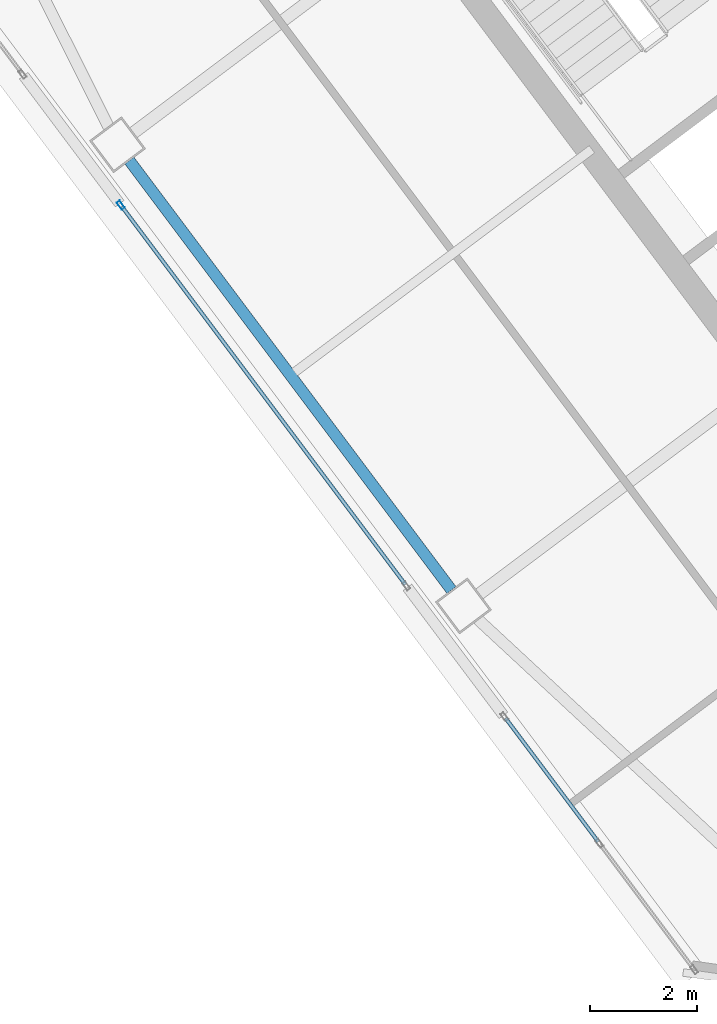
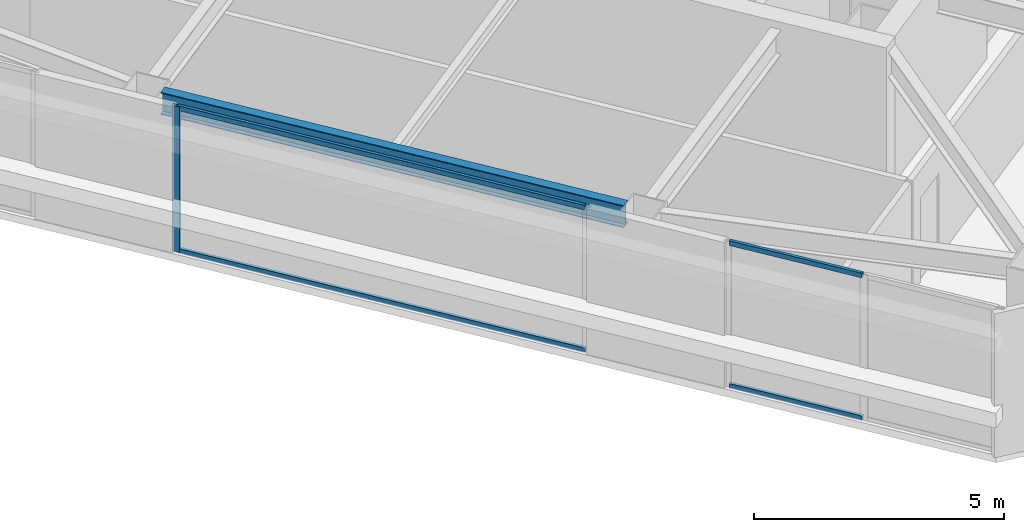
# One storey, part 15 of 39: 5 members, 1 beam, 2 elements without a shape of their own.
"""IFC4 building model written with IfcOpenShell, lengths in metres."""

from ifc_helpers import new_model, si_unit, direction, frame, origin, origin_2d, place, context, subcontext, project, spatial, hollow_rectangle, i_section, extrude, material, material_profile, profile_set, type_object, element, aggregate, save


model = new_model("IFC4")

# Units and contexts
model_context = context("Model", 3, precision=1e-05, world=origin(), true_north=direction((0.0, 1.0)))
body_context = subcontext(model_context, "Body", "Model", "MODEL_VIEW")
ifc_project = project(units=[si_unit("LENGTHUNIT", "METRE"), si_unit("AREAUNIT", "SQUARE_METRE"), si_unit("VOLUMEUNIT", "CUBIC_METRE"), si_unit("PLANEANGLEUNIT", "RADIAN"), si_unit("MASSUNIT", "GRAM", prefix="KILO")], contexts=[model_context])

# Site, building, storey
site_placement = place(None, origin())
site = spatial("IfcSite", under=ifc_project, at=site_placement, CompositionType="ELEMENT")
building_placement = place(site_placement, origin())
building = spatial("IfcBuilding", under=site, at=building_placement, Name="Tashvorn Skyway Center", CompositionType="ELEMENT")
storey_placement = place(building_placement, frame((0.0, 0.0, 214.85009765625)))
storey = spatial("IfcBuildingStorey", under=building, at=storey_placement, Name="L58", CompositionType="ELEMENT", Elevation=214.85009765625)

# Beam
ifc_material_1 = material(Name="Steel ASTM A992 Grade 50", Category="steel")
ifc_material_profile_1 = material_profile(ifc_material_1, i_section(OverallWidth=0.2109375, OverallDepth=0.5390625, WebThickness=0.01171875, FlangeThickness=0.018798828125, at=origin_2d()), Name="W21X73")
ifc_profile_set_1 = profile_set([ifc_material_profile_1], Name="Steel ASTM A992 Grade 50")
beam_type = type_object("IfcBeamType", Name="BM-SPANDREL-W21X73", PredefinedType="SPANDREL", material=ifc_profile_set_1)
beam_placement = place(storey_placement, frame((99.10205078125, 27.114013671875, 3.100341796875), z_axis=(0.599988351091, -0.800008736549, 0.0), x_axis=(0.800008736549, 0.599988351091, 0.0)))
element("IfcBeam", 1, at=beam_placement, inside=storey, type_object=beam_type, Name="Tower 2 L58 Spandrel Beam 11", PredefinedType="SPANDREL", context=body_context, shape_type="SweptSolid", body=[
    extrude(i_section(OverallWidth=0.2109375, OverallDepth=0.5390625, WebThickness=0.01171875, FlangeThickness=0.018798828125, at=origin_2d()), origin(), (0.0, 0.0, 1.0), 10.06005859375),
])

# Curtain wall, member
ifc_material_2 = material(Name="Thermally broken bronze-anodized aluminium 6063-T6", Category="aluminium")
curtain_wall_type = type_object("IfcCurtainWallType", Name="CW-CW-Z5", PredefinedType="NOTDEFINED", material=ifc_material_2)
curtain_wall_1_placement = place(storey_placement, origin())
curtain_wall_1 = element("IfcCurtainWall", 2, at=curtain_wall_1_placement, inside=storey, type_object=curtain_wall_type, Name="Tower 2 L58 West Unitised Curtain Wall Glazing Group 2", PredefinedType="NOTDEFINED")
ifc_material_profile_2 = material_profile(ifc_material_2, hollow_rectangle(XDim=0.070068359375, YDim=0.1650390625, WallThickness=0.00390625, at=origin_2d()), Name="ALU-MULL-70x165")
ifc_profile_set_2 = profile_set([ifc_material_profile_2], Name="Thermally broken bronze-anodized aluminium 6063-T6")
member_type_1 = type_object("IfcMemberType", Name="CWM-CW-Z5", PredefinedType="MULLION", material=ifc_profile_set_2)
member_1_placement = place(storey_placement, frame((98.94091796875, 26.27880859375, 0.0), z_axis=(0.0, 0.0, 1.0), x_axis=(-0.800002670596, -0.599996439189, 0.0)))
member_1 = element("IfcMember", 3, at=member_1_placement, type_object=member_type_1, Name="CW-Z5 mullion 2", PredefinedType="MULLION", context=body_context, shape_type="SweptSolid", body=[
    extrude(hollow_rectangle(XDim=0.070068359375, YDim=0.1650390625, WallThickness=0.00390625, at=origin_2d()), origin(), (0.0, 0.0, 1.0), 3.5498046875),
])

# Curtain wall, members
curtain_wall_2_placement = place(storey_placement, origin())
curtain_wall_2 = element("IfcCurtainWall", 4, at=curtain_wall_2_placement, inside=storey, type_object=curtain_wall_type, Name="Tower 2 L58 West Unitised Curtain Wall Glazing Group 1", PredefinedType="NOTDEFINED")
ifc_material_profile_3 = material_profile(ifc_material_2, hollow_rectangle(XDim=0.070068359375, YDim=0.114990234375, WallThickness=0.00390625, at=origin_2d()), Name="ALU-TRAN-70x115")
ifc_profile_set_3 = profile_set([ifc_material_profile_3], Name="Thermally broken bronze-anodized aluminium 6063-T6")
member_type_2 = type_object("IfcMemberType", Name="CWT-CW-Z5", PredefinedType="USERDEFINED", material=ifc_profile_set_3)
member_2_placement = place(storey_placement, frame((107.8857421875, 14.3525390625, 0.034912109375), z_axis=(-0.600040542509, 0.799969591513, 0.0), x_axis=(-0.799969591513, -0.600040542509, 0.0)))
member_2 = element("IfcMember", 5, at=member_2_placement, type_object=member_type_2, Name="CW-Z5 transom 2.1", ObjectType="TRANSOM", PredefinedType="USERDEFINED", context=body_context, shape_type="SweptSolid", body=[
    extrude(hollow_rectangle(XDim=0.070068359375, YDim=0.114990234375, WallThickness=0.00390625, at=origin_2d()), origin(), (0.0, 0.0, 1.0), 2.890380859375),
])
member_3_placement = place(storey_placement, frame((107.8857421875, 14.3525390625, 3.514892578125), z_axis=(-0.600040542509, 0.799969591513, 0.0), x_axis=(-0.799969591513, -0.600040542509, 0.0)))
member_3 = element("IfcMember", 6, at=member_3_placement, type_object=member_type_2, Name="CW-Z5 transom 2.2", ObjectType="TRANSOM", PredefinedType="USERDEFINED", context=body_context, shape_type="SweptSolid", body=[
    extrude(hollow_rectangle(XDim=0.070068359375, YDim=0.114990234375, WallThickness=0.00390625, at=origin_2d()), origin(), (0.0, 0.0, 1.0), 2.890380859375),
])
aggregate(curtain_wall_2, [member_2, member_3])

# Member
member_4_placement = place(storey_placement, frame((104.27001953125, 19.17333984375, 0.034912109375), z_axis=(-0.600004415441, 0.799996688401, 0.0), x_axis=(-0.799996688401, -0.600004415441, 0.0)))
member_4 = element("IfcMember", 7, at=member_4_placement, type_object=member_type_2, Name="CW-Z5 transom 1.1", ObjectType="TRANSOM", PredefinedType="USERDEFINED", context=body_context, shape_type="SweptSolid", body=[
    extrude(hollow_rectangle(XDim=0.070068359375, YDim=0.114990234375, WallThickness=0.00390625, at=origin_2d()), origin(), (0.0, 0.0, 1.0), 8.8466796875),
])

member_5_placement = place(storey_placement, frame((104.27001953125, 19.17333984375, 3.514892578125), z_axis=(-0.600004415441, 0.799996688401, 0.0), x_axis=(-0.799996688401, -0.600004415441, 0.0)))
member_5 = element("IfcMember", 8, at=member_5_placement, type_object=member_type_2, Name="CW-Z5 transom 1.2", ObjectType="TRANSOM", PredefinedType="USERDEFINED", context=body_context, shape_type="SweptSolid", body=[
    extrude(hollow_rectangle(XDim=0.070068359375, YDim=0.114990234375, WallThickness=0.00390625, at=origin_2d()), origin(), (0.0, 0.0, 1.0), 8.8466796875),
])

aggregate(curtain_wall_1, [member_1, member_4, member_5])

save(model, "model.ifc")
